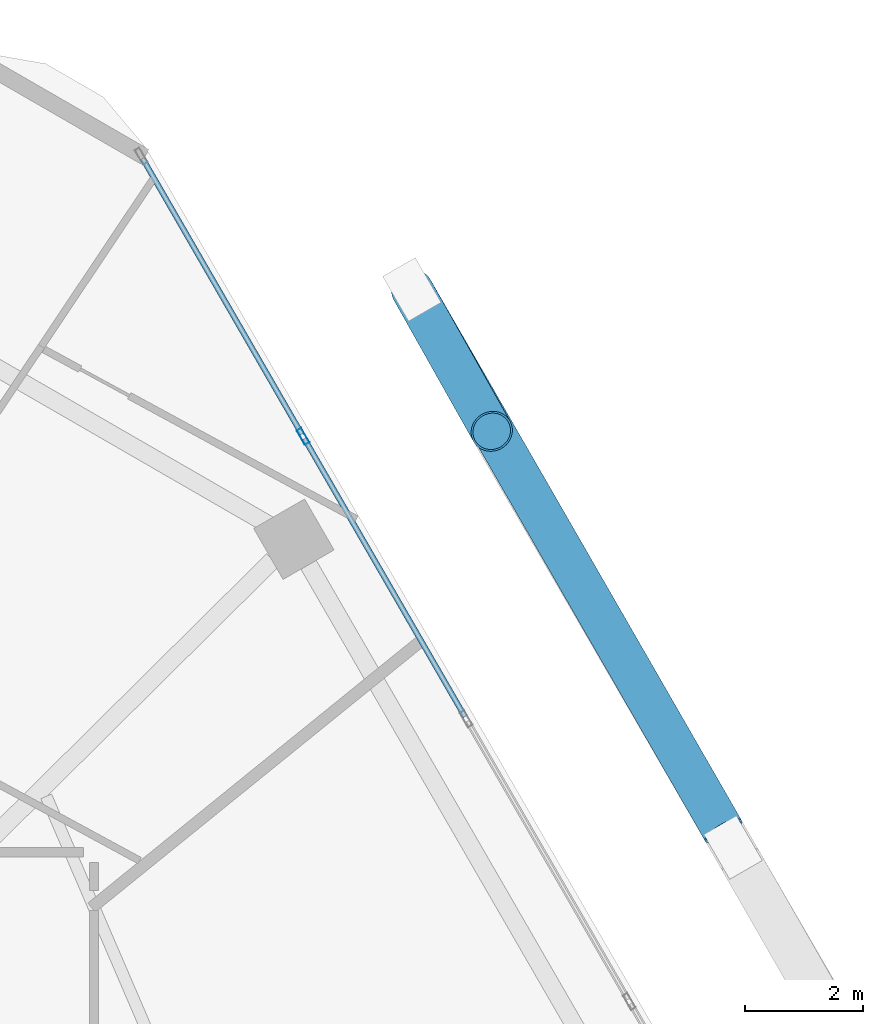
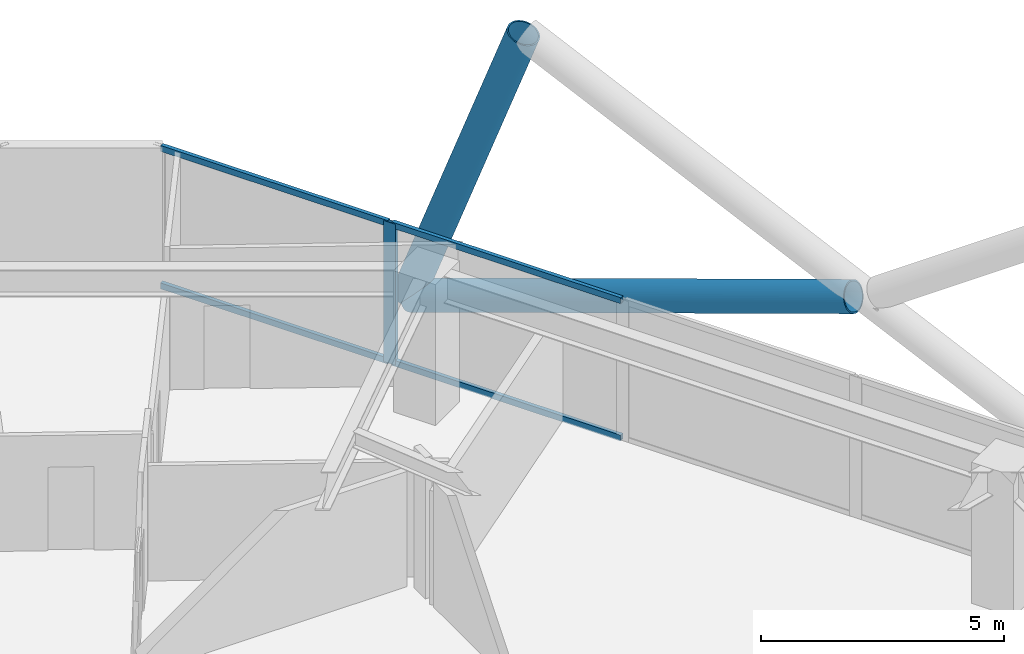
# One storey, part 20 of 30: 7 members, 1 element without a shape of its own.
"""IFC4 building model written with IfcOpenShell, lengths in metres."""

from ifc_helpers import new_model, si_unit, direction, frame, origin, origin_2d, place, context, subcontext, project, spatial, hollow_rectangle, hollow_circle, extrude, material, material_profile, profile_set, type_object, element, aggregate, save


model = new_model("IFC4")

# Units and contexts
model_context = context("Model", 3, precision=1e-05, world=origin(), true_north=direction((0.0, 1.0)))
body_context = subcontext(model_context, "Body", "Model", "MODEL_VIEW")
ifc_project = project(units=[si_unit("LENGTHUNIT", "METRE"), si_unit("AREAUNIT", "SQUARE_METRE"), si_unit("VOLUMEUNIT", "CUBIC_METRE"), si_unit("PLANEANGLEUNIT", "RADIAN"), si_unit("MASSUNIT", "GRAM", prefix="KILO")], contexts=[model_context])

# Site, building, storey
site_placement = place(None, origin())
site = spatial("IfcSite", under=ifc_project, at=site_placement, CompositionType="ELEMENT")
building_placement = place(site_placement, origin())
building = spatial("IfcBuilding", under=site, at=building_placement, Name="Zuhravey Tower", CompositionType="ELEMENT")
storey_placement = place(building_placement, frame((0.0, 0.0, 177.0)))
storey = spatial("IfcBuildingStorey", under=building, at=storey_placement, Name="L44", CompositionType="ELEMENT", Elevation=177.0)

# Curtain wall, members
ifc_material_1 = material(Name="Thermally broken anodised aluminium", Category="aluminium")
curtain_wall_type = type_object("IfcCurtainWallType", Name="Zone 1-2 Residential Curtain Wall CW3", PredefinedType="NOTDEFINED", material=ifc_material_1)
curtain_wall_placement = place(storey_placement, origin())
curtain_wall = element("IfcCurtainWall", 1, at=curtain_wall_placement, inside=storey, type_object=curtain_wall_type, Name="L44 CW3 CW-L44-F1-1", PredefinedType="NOTDEFINED")
ifc_material_2 = material(Name="Anodised aluminium", Category="aluminium")
ifc_material_profile_1 = material_profile(ifc_material_2, hollow_rectangle(XDim=0.090087890625, YDim=0.284912109375, WallThickness=0.0048828125, at=origin_2d()), Name="ALU-RHS-90x285x5")
ifc_profile_set_1 = profile_set([ifc_material_profile_1], Name="Anodised aluminium")
member_type_1 = type_object("IfcMemberType", Name="Curtain-Wall Mullion 90x180", PredefinedType="MULLION", material=ifc_profile_set_1)
member_1_placement = place(storey_placement, frame((55.3828125, 52.7939453125, 0.0), z_axis=(0.0, 0.0, 1.0), x_axis=(0.866025138215, 0.500000459979, 0.0)))
member_1 = element("IfcMember", 2, at=member_1_placement, type_object=member_type_1, Name="CW3 mullion 2", PredefinedType="MULLION", context=body_context, shape_type="SweptSolid", body=[
    extrude(hollow_rectangle(XDim=0.090087890625, YDim=0.284912109375, WallThickness=0.0048828125, at=origin_2d()), origin(), (0.0, 0.0, 1.0), 3.550048828125),
])
ifc_material_profile_2 = material_profile(ifc_material_2, hollow_rectangle(XDim=0.090087890625, YDim=0.14990234375, WallThickness=0.0048828125, at=origin_2d()), Name="ALU-RHS-90x150x5")
ifc_profile_set_2 = profile_set([ifc_material_profile_2], Name="Anodised aluminium")
member_type_2 = type_object("IfcMemberType", Name="Curtain-Wall Transom 90x150", PredefinedType="USERDEFINED", material=ifc_profile_set_2)
member_2_placement = place(storey_placement, frame((52.65576171875, 57.517578125, 0.044921875), z_axis=(0.499993332629, -0.866029253159, 0.0), x_axis=(0.866029253159, 0.499993332629, 0.0)))
member_2 = element("IfcMember", 3, at=member_2_placement, type_object=member_type_2, Name="CW3 transom 1.1", ObjectType="TRANSOM", PredefinedType="USERDEFINED", context=body_context, shape_type="SweptSolid", body=[
    extrude(hollow_rectangle(XDim=0.090087890625, YDim=0.14990234375, WallThickness=0.0048828125, at=origin_2d()), origin(), (0.0, 0.0, 1.0), 5.4091796875),
])
member_3_placement = place(storey_placement, frame((52.65576171875, 57.517578125, 3.5048828125), z_axis=(0.499993332629, -0.866029253159, 0.0), x_axis=(0.866029253159, 0.499993332629, 0.0)))
member_3 = element("IfcMember", 4, at=member_3_placement, type_object=member_type_2, Name="CW3 transom 1.2", ObjectType="TRANSOM", PredefinedType="USERDEFINED", context=body_context, shape_type="SweptSolid", body=[
    extrude(hollow_rectangle(XDim=0.090087890625, YDim=0.14990234375, WallThickness=0.0048828125, at=origin_2d()), origin(), (0.0, 0.0, 1.0), 5.4091796875),
])
member_4_placement = place(storey_placement, frame((55.405517578125, 52.755126953125, 0.044921875), z_axis=(0.49996138257, -0.86604769842, 0.0), x_axis=(0.86604769842, 0.49996138257, 0.0)))
member_4 = element("IfcMember", 5, at=member_4_placement, type_object=member_type_2, Name="CW3 transom 2.1", ObjectType="TRANSOM", PredefinedType="USERDEFINED", context=body_context, shape_type="SweptSolid", body=[
    extrude(hollow_rectangle(XDim=0.090087890625, YDim=0.14990234375, WallThickness=0.0048828125, at=origin_2d()), origin(), (0.0, 0.0, 1.0), 5.45458984375),
])
member_5_placement = place(storey_placement, frame((55.405517578125, 52.755126953125, 3.5048828125), z_axis=(0.49996138257, -0.86604769842, 0.0), x_axis=(0.86604769842, 0.49996138257, 0.0)))
member_5 = element("IfcMember", 6, at=member_5_placement, type_object=member_type_2, Name="CW3 transom 2.2", ObjectType="TRANSOM", PredefinedType="USERDEFINED", context=body_context, shape_type="SweptSolid", body=[
    extrude(hollow_rectangle(XDim=0.090087890625, YDim=0.14990234375, WallThickness=0.0048828125, at=origin_2d()), origin(), (0.0, 0.0, 1.0), 5.45458984375),
])
aggregate(curtain_wall, [member_1, member_2, member_3, member_4, member_5])

# Members
ifc_material_3 = material(Name="Steel SM460", Category="steel")
ifc_material_profile_3 = material_profile(ifc_material_3, hollow_circle(Radius=0.355712890625, WallThickness=0.031982421875, at=origin_2d()), Name="CHS-711.2x32")
ifc_profile_set_3 = profile_set([ifc_material_profile_3], Name="Steel SM460")
member_type_3 = type_object("IfcMemberType", Name="Exoskeleton Zone 2 Diagrid CHS711x32", PredefinedType="BRACE", material=ifc_profile_set_3)
member_6_placement = place(storey_placement, frame((57.235595703125, 55.28515625, -0.444091796875), z_axis=(0.168210915407, -0.298805683816, 0.939372264471), x_axis=(0.871410102193, 0.490555230118, 0.0)))
element("IfcMember", 7, at=member_6_placement, inside=storey, type_object=member_type_3, Name="L44 Face 1 Diagrid Brace 4", PredefinedType="BRACE", context=body_context, shape_type="SweptSolid", body=[
    extrude(hollow_circle(Radius=0.355712890625, WallThickness=0.031982421875, at=origin_2d()), origin(), (0.0, 0.0, 1.0), 8.048095703125),
])
member_7_placement = place(storey_placement, frame((57.25439453125, 55.252685546875, -0.448486328125), z_axis=(0.471193471238, -0.818746927589, 0.328070390656), x_axis=(0.866716863443, 0.498800439678, 0.0)))
element("IfcMember", 8, at=member_7_placement, inside=storey, type_object=member_type_3, Name="L44 Face 1 Split Diagrid Brace 3A", PredefinedType="BRACE", context=body_context, shape_type="SweptSolid", body=[
    extrude(hollow_circle(Radius=0.355712890625, WallThickness=0.031982421875, at=origin_2d()), origin(), (0.0, 0.0, 1.0), 11.190185546875),
])

save(model, "model.ifc")
